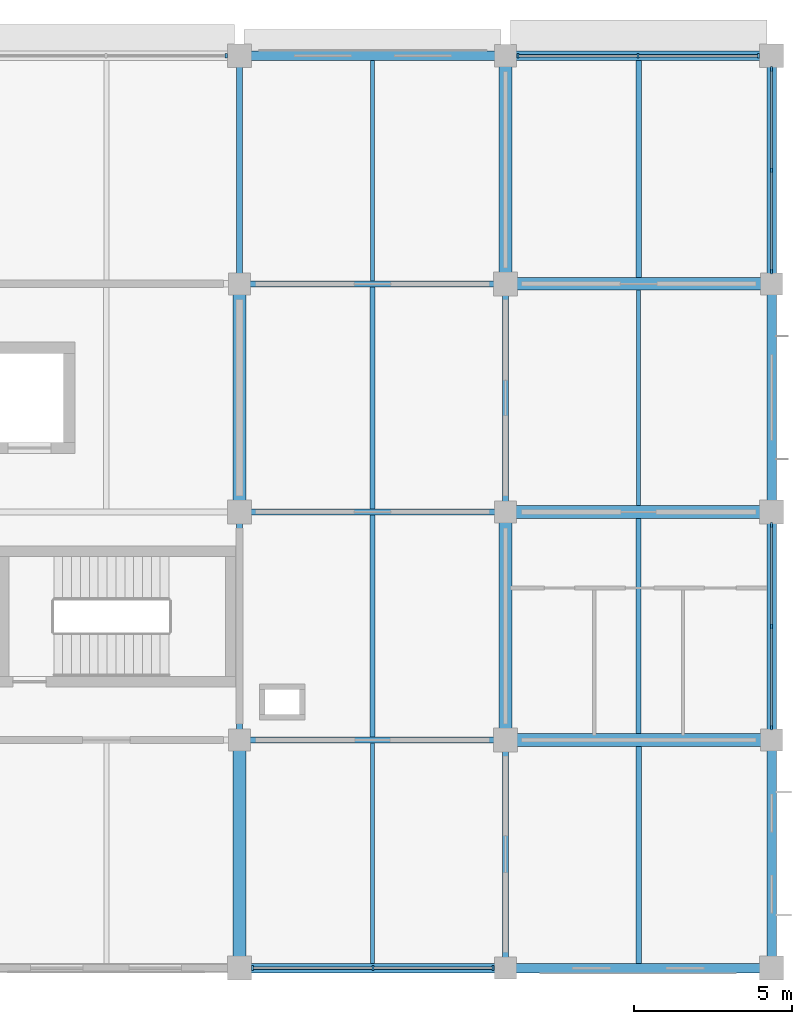
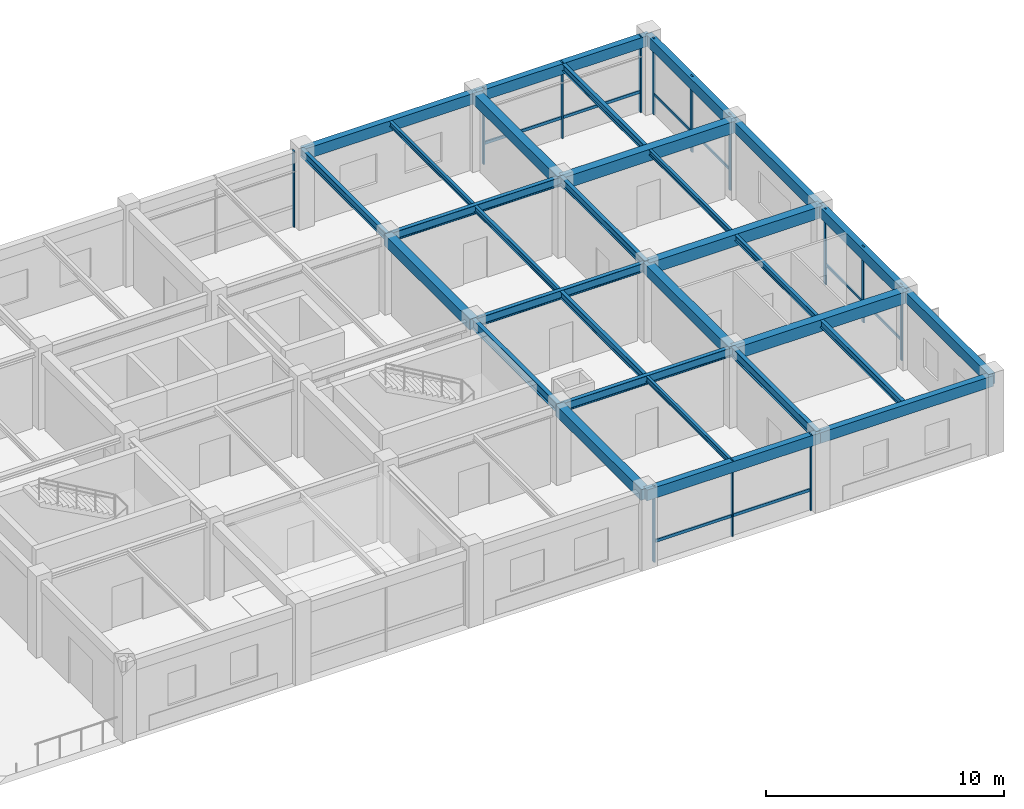
# One storey, part 4 of 10: 30 beams, 21 members, 5 elements without a shape of their own.
"""IFC4 building model written with IfcOpenShell, lengths in metres."""

from ifc_helpers import new_model, si_unit, derived_unit, direction, frame, origin, origin_2d, place, context, subcontext, project, spatial, rectangle, i_section, extrude, material, material_profile, profile_set, type_object, element, aggregate, save


model = new_model("IFC4")

# Units and contexts
model_context = context("Model", 3, precision=1e-05, world=origin(), true_north=direction((0.0, 1.0)))
body_context = subcontext(model_context, "Body", "Model", "MODEL_VIEW")
ifc_project = project(units=[si_unit("LENGTHUNIT", "METRE"), si_unit("AREAUNIT", "SQUARE_METRE"), si_unit("VOLUMEUNIT", "CUBIC_METRE"), si_unit("PLANEANGLEUNIT", "RADIAN"), si_unit("MASSUNIT", "GRAM", prefix="KILO"), derived_unit("THERMALTRANSMITTANCEUNIT", [(si_unit("MASSUNIT", "GRAM", prefix="KILO"), 1), (si_unit("TIMEUNIT", "SECOND"), -3), (si_unit("THERMODYNAMICTEMPERATUREUNIT", "KELVIN"), -1)])], contexts=[model_context])

# Site, building, storey
site_placement = place(None, origin())
site = spatial("IfcSite", under=ifc_project, at=site_placement, CompositionType="ELEMENT")
building_placement = place(site_placement, origin())
building = spatial("IfcBuilding", under=site, at=building_placement, Name="Veldstrom Oceanarium and Marine Research Institute", CompositionType="ELEMENT")
storey_placement = place(building_placement, frame((0.0, 0.0, 43.800048828125)))
storey = spatial("IfcBuildingStorey", under=building, at=storey_placement, Name="L09", CompositionType="ELEMENT", Elevation=43.800048828125)

# Curtain wall, member
ifc_material_1 = material(Name="Anodised Aluminium Framing", Category="aluminium")
curtain_wall_type_1 = type_object("IfcCurtainWallType", Name="ARC-CW-CW04", PredefinedType="USERDEFINED", material=ifc_material_1)
curtain_wall_1_placement = place(storey_placement, origin())
curtain_wall_1 = element("IfcCurtainWall", 1, at=curtain_wall_1_placement, inside=storey, type_object=curtain_wall_type_1, Name="Curtain Wall CW04 CW-L09-136", ObjectType="Curtain wall", PredefinedType="USERDEFINED")
ifc_material_2 = material(Name="Anodised Aluminium Framing", Category="aluminium")
ifc_material_profile_1 = material_profile(ifc_material_2, rectangle(XDim=0.06494140625, YDim=0.14990234375, at=origin_2d()), Name="ALU-MUL-65x150")
ifc_profile_set_1 = profile_set([ifc_material_profile_1], Name="Anodised Aluminium Framing")
member_type_1 = type_object("IfcMemberType", Name="ARC-MUL-ML2", PredefinedType="MULLION", material=ifc_profile_set_1)
member_1_placement = place(storey_placement, frame((100.385009765625, 72.0, 0.0), z_axis=(0.0, 0.0, 1.0), x_axis=(1.0, 0.0, 0.0)))
member_1 = element("IfcMember", 2, at=member_1_placement, type_object=member_type_1, Name="Curtain Wall Mullion CW-L09-136-MUL-3", PredefinedType="MULLION", context=body_context, shape_type="SweptSolid", body=[
    extrude(rectangle(XDim=0.06494140625, YDim=0.14990234375, at=origin_2d()), origin(), (0.0, 0.0, 1.0), 3.89990234375),
])
aggregate(curtain_wall_1, [member_1])

# Curtain wall, members
curtain_wall_2_placement = place(storey_placement, origin())
curtain_wall_2 = element("IfcCurtainWall", 3, at=curtain_wall_2_placement, inside=storey, type_object=curtain_wall_type_1, Name="Curtain Wall CW04 CW-L09-137", ObjectType="Curtain wall", PredefinedType="USERDEFINED")
member_2_placement = place(storey_placement, frame((101.215087890625, 43.199951171875, 0.0), z_axis=(0.0, 0.0, 1.0), x_axis=(1.0, 0.0, 0.0)))
member_2 = element("IfcMember", 4, at=member_2_placement, type_object=member_type_1, Name="Curtain Wall Mullion CW-L09-137-MUL-1", PredefinedType="MULLION", context=body_context, shape_type="SweptSolid", body=[
    extrude(rectangle(XDim=0.06494140625, YDim=0.14990234375, at=origin_2d()), origin(), (0.0, 0.0, 1.0), 3.89990234375),
])
member_3_placement = place(storey_placement, frame((105.012451171875, 43.199951171875, 0.0), z_axis=(0.0, 0.0, 1.0), x_axis=(1.0, 0.0, 0.0)))
member_3 = element("IfcMember", 5, at=member_3_placement, type_object=member_type_1, Name="Curtain Wall Mullion CW-L09-137-MUL-2", PredefinedType="MULLION", context=body_context, shape_type="SweptSolid", body=[
    extrude(rectangle(XDim=0.06494140625, YDim=0.14990234375, at=origin_2d()), origin(), (0.0, 0.0, 1.0), 3.89990234375),
])
member_4_placement = place(storey_placement, frame((108.81005859375, 43.199951171875, 0.0), z_axis=(0.0, 0.0, 1.0), x_axis=(1.0, 0.0, 0.0)))
member_4 = element("IfcMember", 6, at=member_4_placement, type_object=member_type_1, Name="Curtain Wall Mullion CW-L09-137-MUL-3", PredefinedType="MULLION", context=body_context, shape_type="SweptSolid", body=[
    extrude(rectangle(XDim=0.06494140625, YDim=0.14990234375, at=origin_2d()), origin(), (0.0, 0.0, 1.0), 3.89990234375),
])

ifc_material_3 = material(Name="Anodised Aluminium Framing", Category="aluminium")
curtain_wall_type_2 = type_object("IfcCurtainWallType", Name="ARC-CW-CW08", PredefinedType="USERDEFINED", material=ifc_material_3)
curtain_wall_3_placement = place(storey_placement, origin())
curtain_wall_3 = element("IfcCurtainWall", 7, at=curtain_wall_3_placement, inside=storey, type_object=curtain_wall_type_2, Name="Curtain Wall CW08 CW-L09-138", ObjectType="Curtain wall", PredefinedType="USERDEFINED")
member_5_placement = place(storey_placement, frame((117.60009765625, 50.7900390625, 0.0), z_axis=(0.0, 0.0, 1.0), x_axis=(1.0, 0.0, 0.0)))
member_5 = element("IfcMember", 8, at=member_5_placement, type_object=member_type_1, Name="Curtain Wall Mullion CW-L09-138-MUL-1", PredefinedType="MULLION", context=body_context, shape_type="SweptSolid", body=[
    extrude(rectangle(XDim=0.06494140625, YDim=0.14990234375, at=origin_2d()), origin(), (0.0, 0.0, 1.0), 3.89990234375),
])
member_6_placement = place(storey_placement, frame((117.60009765625, 53.987548828125, 0.0), z_axis=(0.0, 0.0, 1.0), x_axis=(1.0, 0.0, 0.0)))
member_6 = element("IfcMember", 9, at=member_6_placement, type_object=member_type_1, Name="Curtain Wall Mullion CW-L09-138-MUL-2", PredefinedType="MULLION", context=body_context, shape_type="SweptSolid", body=[
    extrude(rectangle(XDim=0.06494140625, YDim=0.14990234375, at=origin_2d()), origin(), (0.0, 0.0, 1.0), 3.89990234375),
])
member_7_placement = place(storey_placement, frame((117.60009765625, 57.18505859375, 0.0), z_axis=(0.0, 0.0, 1.0), x_axis=(1.0, 0.0, 0.0)))
member_7 = element("IfcMember", 10, at=member_7_placement, type_object=member_type_1, Name="Curtain Wall Mullion CW-L09-138-MUL-3", PredefinedType="MULLION", context=body_context, shape_type="SweptSolid", body=[
    extrude(rectangle(XDim=0.06494140625, YDim=0.14990234375, at=origin_2d()), origin(), (0.0, 0.0, 1.0), 3.89990234375),
])

curtain_wall_4_placement = place(storey_placement, origin())
curtain_wall_4 = element("IfcCurtainWall", 11, at=curtain_wall_4_placement, inside=storey, type_object=curtain_wall_type_1, Name="Curtain Wall CW04 CW-L09-139", ObjectType="Curtain wall", PredefinedType="USERDEFINED")
member_8_placement = place(storey_placement, frame((109.590087890625, 72.0, 0.0), z_axis=(0.0, 0.0, 1.0), x_axis=(1.0, 0.0, 0.0)))
member_8 = element("IfcMember", 12, at=member_8_placement, type_object=member_type_1, Name="Curtain Wall Mullion CW-L09-139-MUL-1", PredefinedType="MULLION", context=body_context, shape_type="SweptSolid", body=[
    extrude(rectangle(XDim=0.06494140625, YDim=0.14990234375, at=origin_2d()), origin(), (0.0, 0.0, 1.0), 3.89990234375),
])
member_9_placement = place(storey_placement, frame((113.387451171875, 72.0, 0.0), z_axis=(0.0, 0.0, 1.0), x_axis=(1.0, 0.0, 0.0)))
member_9 = element("IfcMember", 13, at=member_9_placement, type_object=member_type_1, Name="Curtain Wall Mullion CW-L09-139-MUL-2", PredefinedType="MULLION", context=body_context, shape_type="SweptSolid", body=[
    extrude(rectangle(XDim=0.06494140625, YDim=0.14990234375, at=origin_2d()), origin(), (0.0, 0.0, 1.0), 3.89990234375),
])
member_10_placement = place(storey_placement, frame((117.18505859375, 72.0, 0.0), z_axis=(0.0, 0.0, 1.0), x_axis=(1.0, 0.0, 0.0)))
member_10 = element("IfcMember", 14, at=member_10_placement, type_object=member_type_1, Name="Curtain Wall Mullion CW-L09-139-MUL-3", PredefinedType="MULLION", context=body_context, shape_type="SweptSolid", body=[
    extrude(rectangle(XDim=0.06494140625, YDim=0.14990234375, at=origin_2d()), origin(), (0.0, 0.0, 1.0), 3.89990234375),
])

curtain_wall_5_placement = place(storey_placement, origin())
curtain_wall_5 = element("IfcCurtainWall", 15, at=curtain_wall_5_placement, inside=storey, type_object=curtain_wall_type_2, Name="Curtain Wall CW08 CW-L09-140", ObjectType="Curtain wall", PredefinedType="USERDEFINED")
member_11_placement = place(storey_placement, frame((117.60009765625, 65.18994140625, 0.0), z_axis=(0.0, 0.0, 1.0), x_axis=(1.0, 0.0, 0.0)))
member_11 = element("IfcMember", 16, at=member_11_placement, type_object=member_type_1, Name="Curtain Wall Mullion CW-L09-140-MUL-1", PredefinedType="MULLION", context=body_context, shape_type="SweptSolid", body=[
    extrude(rectangle(XDim=0.06494140625, YDim=0.14990234375, at=origin_2d()), origin(), (0.0, 0.0, 1.0), 3.89990234375),
])
member_12_placement = place(storey_placement, frame((117.60009765625, 68.387451171875, 0.0), z_axis=(0.0, 0.0, 1.0), x_axis=(1.0, 0.0, 0.0)))
member_12 = element("IfcMember", 17, at=member_12_placement, type_object=member_type_1, Name="Curtain Wall Mullion CW-L09-140-MUL-2", PredefinedType="MULLION", context=body_context, shape_type="SweptSolid", body=[
    extrude(rectangle(XDim=0.06494140625, YDim=0.14990234375, at=origin_2d()), origin(), (0.0, 0.0, 1.0), 3.89990234375),
])
member_13_placement = place(storey_placement, frame((117.60009765625, 71.5849609375, 0.0), z_axis=(0.0, 0.0, 1.0), x_axis=(1.0, 0.0, 0.0)))
member_13 = element("IfcMember", 18, at=member_13_placement, type_object=member_type_1, Name="Curtain Wall Mullion CW-L09-140-MUL-3", PredefinedType="MULLION", context=body_context, shape_type="SweptSolid", body=[
    extrude(rectangle(XDim=0.06494140625, YDim=0.14990234375, at=origin_2d()), origin(), (0.0, 0.0, 1.0), 3.89990234375),
])

# Member
ifc_material_4 = material(Name="Anodised Aluminium Framing", Category="aluminium")
ifc_material_profile_2 = material_profile(ifc_material_4, rectangle(XDim=0.074951171875, YDim=0.14990234375, at=origin_2d()), Name="ALU-TRN-75x150")
ifc_profile_set_2 = profile_set([ifc_material_profile_2], Name="Anodised Aluminium Framing")
member_type_2 = type_object("IfcMemberType", Name="ARC-TRN-TR1", PredefinedType="USERDEFINED", material=ifc_profile_set_2)
member_14_placement = place(storey_placement, frame((101.2548828125, 43.199951171875, 1.050048828125), z_axis=(1.0, 0.0, 0.0), x_axis=(0.0, 1.0, 0.0)))
member_14 = element("IfcMember", 19, at=member_14_placement, type_object=member_type_2, Name="Curtain Wall Transom CW-L09-137-TRN-1", ObjectType="Transom", PredefinedType="USERDEFINED", context=body_context, shape_type="SweptSolid", body=[
    extrude(rectangle(XDim=0.074951171875, YDim=0.14990234375, at=origin_2d()), origin(), (0.0, 0.0, 1.0), 3.717529296875),
])

member_15_placement = place(storey_placement, frame((105.052490234375, 43.199951171875, 1.050048828125), z_axis=(1.0, 0.0, 0.0), x_axis=(0.0, 1.0, 0.0)))
member_15 = element("IfcMember", 20, at=member_15_placement, type_object=member_type_2, Name="Curtain Wall Transom CW-L09-137-TRN-2", ObjectType="Transom", PredefinedType="USERDEFINED", context=body_context, shape_type="SweptSolid", body=[
    extrude(rectangle(XDim=0.074951171875, YDim=0.14990234375, at=origin_2d()), origin(), (0.0, 0.0, 1.0), 3.717529296875),
])

aggregate(curtain_wall_2, [member_2, member_3, member_4, member_14, member_15])

member_16_placement = place(storey_placement, frame((109.6298828125, 72.0, 1.050048828125), z_axis=(1.0, 0.0, 0.0), x_axis=(0.0, 1.0, 0.0)))
member_16 = element("IfcMember", 21, at=member_16_placement, type_object=member_type_2, Name="Curtain Wall Transom CW-L09-139-TRN-1", ObjectType="Transom", PredefinedType="USERDEFINED", context=body_context, shape_type="SweptSolid", body=[
    extrude(rectangle(XDim=0.074951171875, YDim=0.14990234375, at=origin_2d()), origin(), (0.0, 0.0, 1.0), 3.717529296875),
])

member_17_placement = place(storey_placement, frame((113.427490234375, 72.0, 1.050048828125), z_axis=(1.0, 0.0, 0.0), x_axis=(0.0, 1.0, 0.0)))
member_17 = element("IfcMember", 22, at=member_17_placement, type_object=member_type_2, Name="Curtain Wall Transom CW-L09-139-TRN-2", ObjectType="Transom", PredefinedType="USERDEFINED", context=body_context, shape_type="SweptSolid", body=[
    extrude(rectangle(XDim=0.074951171875, YDim=0.14990234375, at=origin_2d()), origin(), (0.0, 0.0, 1.0), 3.717529296875),
])

aggregate(curtain_wall_4, [member_8, member_9, member_10, member_16, member_17])

ifc_material_5 = material(Name="Anodised Aluminium Framing", Category="aluminium")
ifc_material_profile_3 = material_profile(ifc_material_5, rectangle(XDim=0.06494140625, YDim=0.1201171875, at=origin_2d()), Name="ALU-TRN-65x120")
ifc_profile_set_3 = profile_set([ifc_material_profile_3], Name="Anodised Aluminium Framing")
member_type_3 = type_object("IfcMemberType", Name="ARC-TRN-TR2", PredefinedType="USERDEFINED", material=ifc_profile_set_3)
member_18_placement = place(storey_placement, frame((117.60009765625, 50.830078125, 1.050048828125), z_axis=(0.0, 1.0, 0.0), x_axis=(-1.0, 0.0, 0.0)))
member_18 = element("IfcMember", 23, at=member_18_placement, type_object=member_type_3, Name="Curtain Wall Transom CW-L09-138-TRN-1", ObjectType="Transom", PredefinedType="USERDEFINED", context=body_context, shape_type="SweptSolid", body=[
    extrude(rectangle(XDim=0.06494140625, YDim=0.1201171875, at=origin_2d()), origin(), (0.0, 0.0, 1.0), 3.117431640625),
])

member_19_placement = place(storey_placement, frame((117.60009765625, 54.027587890625, 1.050048828125), z_axis=(0.0, 1.0, 0.0), x_axis=(-1.0, 0.0, 0.0)))
member_19 = element("IfcMember", 24, at=member_19_placement, type_object=member_type_3, Name="Curtain Wall Transom CW-L09-138-TRN-2", ObjectType="Transom", PredefinedType="USERDEFINED", context=body_context, shape_type="SweptSolid", body=[
    extrude(rectangle(XDim=0.06494140625, YDim=0.1201171875, at=origin_2d()), origin(), (0.0, 0.0, 1.0), 3.117431640625),
])

aggregate(curtain_wall_3, [member_5, member_6, member_7, member_18, member_19])

member_20_placement = place(storey_placement, frame((117.60009765625, 65.22998046875, 1.050048828125), z_axis=(0.0, 1.0, 0.0), x_axis=(-1.0, 0.0, 0.0)))
member_20 = element("IfcMember", 25, at=member_20_placement, type_object=member_type_3, Name="Curtain Wall Transom CW-L09-140-TRN-1", ObjectType="Transom", PredefinedType="USERDEFINED", context=body_context, shape_type="SweptSolid", body=[
    extrude(rectangle(XDim=0.06494140625, YDim=0.1201171875, at=origin_2d()), origin(), (0.0, 0.0, 1.0), 3.117431640625),
])

member_21_placement = place(storey_placement, frame((117.60009765625, 68.427490234375, 1.050048828125), z_axis=(0.0, 1.0, 0.0), x_axis=(-1.0, 0.0, 0.0)))
member_21 = element("IfcMember", 26, at=member_21_placement, type_object=member_type_3, Name="Curtain Wall Transom CW-L09-140-TRN-2", ObjectType="Transom", PredefinedType="USERDEFINED", context=body_context, shape_type="SweptSolid", body=[
    extrude(rectangle(XDim=0.06494140625, YDim=0.1201171875, at=origin_2d()), origin(), (0.0, 0.0, 1.0), 3.117431640625),
])

aggregate(curtain_wall_5, [member_11, member_12, member_13, member_20, member_21])

# Beams
ifc_material_6 = material(Name="Concrete C40/50", Category="concrete")
ifc_material_profile_4 = material_profile(ifc_material_6, rectangle(XDim=0.39990234375, YDim=0.60009765625, at=origin_2d()), Name="RC-BM-400x600")
ifc_profile_set_4 = profile_set([ifc_material_profile_4], Name="Concrete C40/50")
beam_type_1 = type_object("IfcBeamType", Name="STR-BM-B06", PredefinedType="BEAM", material=ifc_profile_set_4)
for number, where, z_axis, x_axis, name in (
    (27, (109.199951171875, 50.39990234375, 3.594970703125), (1.0, 0.0, 0.0), (0.0, 1.0, 0.0), "Primary Beam B06 L09-2494"),
    (28, (109.199951171875, 57.60009765625, 3.594970703125), (1.0, 0.0, 0.0), (0.0, 1.0, 0.0), "Primary Beam B06 L09-2495"),
    (29, (109.199951171875, 64.800048828125, 3.594970703125), (1.0, 0.0, 0.0), (0.0, 1.0, 0.0), "Primary Beam B06 L09-2496"),
):
    element("IfcBeam", number, at=place(storey_placement, frame(where, z_axis=z_axis, x_axis=x_axis)), inside=storey, type_object=beam_type_1, Name=name, PredefinedType="BEAM", context=body_context, shape_type="SweptSolid", body=[
        extrude(rectangle(XDim=0.39990234375, YDim=0.60009765625, at=origin_2d()), origin(), (0.0, 0.0, 1.0), 8.400146484375),
    ])
ifc_material_7 = material(Name="Concrete C40/50", Category="concrete")
ifc_material_profile_5 = material_profile(ifc_material_7, rectangle(XDim=0.39990234375, YDim=0.550048828125, at=origin_2d()), Name="RC-BM-400x550")
ifc_profile_set_5 = profile_set([ifc_material_profile_5], Name="Concrete C40/50")
beam_type_2 = type_object("IfcBeamType", Name="STR-BM-B07", PredefinedType="BEAM", material=ifc_profile_set_5)
for number, where, z_axis, x_axis, name in (
    (30, (100.800048828125, 43.199951171875, 3.619873046875), (0.0, 1.0, 0.0), (-1.0, 0.0, 0.0), "Primary Beam B07 L09-2510"),
    (31, (100.800048828125, 57.60009765625, 3.619873046875), (0.0, 1.0, 0.0), (-1.0, 0.0, 0.0), "Primary Beam B07 L09-2512"),
):
    element("IfcBeam", number, at=place(storey_placement, frame(where, z_axis=z_axis, x_axis=x_axis)), inside=storey, type_object=beam_type_2, Name=name, PredefinedType="BEAM", context=body_context, shape_type="SweptSolid", body=[
        extrude(rectangle(XDim=0.39990234375, YDim=0.550048828125, at=origin_2d()), origin(), (0.0, 0.0, 1.0), 7.199951171875),
    ])
beam_1_placement = place(storey_placement, frame((109.199951171875, 50.39990234375, 3.619873046875), z_axis=(0.0, 1.0, 0.0), x_axis=(-1.0, 0.0, 0.0)))
element("IfcBeam", 32, at=beam_1_placement, inside=storey, type_object=beam_type_2, Name="Primary Beam B07 L09-2515", PredefinedType="BEAM", context=body_context, shape_type="SweptSolid", body=[
    extrude(rectangle(XDim=0.39990234375, YDim=0.550048828125, at=origin_2d()), origin(), (0.0, 0.0, 1.0), 7.2001953125),
])
beam_2_placement = place(storey_placement, frame((109.199951171875, 64.800048828125, 3.619873046875), z_axis=(0.0, 1.0, 0.0), x_axis=(-1.0, 0.0, 0.0)))
element("IfcBeam", 33, at=beam_2_placement, inside=storey, type_object=beam_type_2, Name="Primary Beam B07 L09-2517", PredefinedType="BEAM", context=body_context, shape_type="SweptSolid", body=[
    extrude(rectangle(XDim=0.39990234375, YDim=0.550048828125, at=origin_2d()), origin(), (0.0, 0.0, 1.0), 7.199951171875),
])
ifc_material_8 = material(Name="Steel S355JR", Category="steel")
ifc_material_profile_6 = material_profile(ifc_material_8, i_section(OverallWidth=0.199951171875, OverallDepth=0.5, WebThickness=0.01025390625, FlangeThickness=0.01611328125, FilletRadius=0.02099609375, at=origin_2d()), Name="IPE 500")
ifc_profile_set_6 = profile_set([ifc_material_profile_6], Name="Steel S355JR")
beam_type_3 = type_object("IfcBeamType", Name="STR-BM-SB6", PredefinedType="BEAM", material=ifc_profile_set_6)
beam_3_placement = place(storey_placement, frame((100.800048828125, 50.39990234375, 3.64501953125), z_axis=(0.0, 1.0, 0.0), x_axis=(-1.0, 0.0, 0.0)))
element("IfcBeam", 34, at=beam_3_placement, inside=storey, type_object=beam_type_3, Name="Steel Tie Beam SB6 L09-2511", PredefinedType="BEAM", context=body_context, shape_type="SweptSolid", body=[
    extrude(i_section(OverallWidth=0.199951171875, OverallDepth=0.5, WebThickness=0.01025390625, FlangeThickness=0.01611328125, FilletRadius=0.02099609375, at=origin_2d()), origin(), (0.0, 0.0, 1.0), 7.2001953125),
])
beam_4_placement = place(storey_placement, frame((109.199951171875, 43.199951171875, 3.64501953125), z_axis=(0.0, 1.0, 0.0), x_axis=(-1.0, 0.0, 0.0)))
element("IfcBeam", 35, at=beam_4_placement, inside=storey, type_object=beam_type_3, Name="Steel Tie Beam SB6 L09-2514", PredefinedType="BEAM", context=body_context, shape_type="SweptSolid", body=[
    extrude(i_section(OverallWidth=0.199951171875, OverallDepth=0.5, WebThickness=0.01025390625, FlangeThickness=0.01611328125, FilletRadius=0.02099609375, at=origin_2d()), origin(), (0.0, 0.0, 1.0), 7.199951171875),
])
ifc_material_9 = material(Name="Steel S355JR", Category="steel")
ifc_material_profile_7 = material_profile(ifc_material_9, i_section(OverallWidth=0.18994140625, OverallDepth=0.449951171875, WebThickness=0.009521484375, FlangeThickness=0.0146484375, FilletRadius=0.02099609375, at=origin_2d()), Name="IPE 450")
ifc_profile_set_7 = profile_set([ifc_material_profile_7], Name="Steel S355JR")
beam_type_4 = type_object("IfcBeamType", Name="STR-BM-SB7", PredefinedType="BEAM", material=ifc_profile_set_7)
for number, where, z_axis, x_axis, name in (
    (36, (100.800048828125, 50.39990234375, 3.669921875), (1.0, 0.0, 0.0), (0.0, 1.0, 0.0), "Steel Floor Girder SB7 L09-2489"),
    (37, (100.800048828125, 57.60009765625, 3.669921875), (1.0, 0.0, 0.0), (0.0, 1.0, 0.0), "Steel Floor Girder SB7 L09-2490"),
    (38, (100.800048828125, 64.800048828125, 3.669921875), (1.0, 0.0, 0.0), (0.0, 1.0, 0.0), "Steel Floor Girder SB7 L09-2491"),
):
    element("IfcBeam", number, at=place(storey_placement, frame(where, z_axis=z_axis, x_axis=x_axis)), inside=storey, type_object=beam_type_4, Name=name, PredefinedType="BEAM", context=body_context, shape_type="SweptSolid", body=[
        extrude(i_section(OverallWidth=0.18994140625, OverallDepth=0.449951171875, WebThickness=0.009521484375, FlangeThickness=0.0146484375, FilletRadius=0.02099609375, at=origin_2d()), origin(), (0.0, 0.0, 1.0), 8.39990234375),
    ])
ifc_material_10 = material(Name="Steel S355JR", Category="steel")
ifc_material_profile_8 = material_profile(ifc_material_10, i_section(OverallWidth=0.179931640625, OverallDepth=0.39990234375, WebThickness=0.008544921875, FlangeThickness=0.013427734375, FilletRadius=0.02099609375, at=origin_2d()), Name="IPE 400")
ifc_profile_set_8 = profile_set([ifc_material_profile_8], Name="Steel S355JR")
beam_type_5 = type_object("IfcBeamType", Name="STR-BM-SB8", PredefinedType="BEAM", material=ifc_profile_set_8)
for number, where, z_axis, x_axis, name in (
    (39, (100.800048828125, 64.800048828125, 3.695068359375), (0.0, 1.0, 0.0), (-1.0, 0.0, 0.0), "Steel Tie Beam SB8 L09-2513"),
    (40, (109.199951171875, 57.60009765625, 3.695068359375), (0.0, 1.0, 0.0), (-1.0, 0.0, 0.0), "Steel Tie Beam SB8 L09-2516"),
):
    element("IfcBeam", number, at=place(storey_placement, frame(where, z_axis=z_axis, x_axis=x_axis)), inside=storey, type_object=beam_type_5, Name=name, PredefinedType="BEAM", context=body_context, shape_type="SweptSolid", body=[
        extrude(i_section(OverallWidth=0.179931640625, OverallDepth=0.39990234375, WebThickness=0.008544921875, FlangeThickness=0.013427734375, FilletRadius=0.02099609375, at=origin_2d()), origin(), (0.0, 0.0, 1.0), 7.199951171875),
    ])
ifc_material_11 = material(Name="Steel S355JR", Category="steel")
ifc_material_profile_9 = material_profile(ifc_material_11, i_section(OverallWidth=0.169921875, OverallDepth=0.360107421875, WebThickness=0.008056640625, FlangeThickness=0.0126953125, FilletRadius=0.01806640625, at=origin_2d()), Name="IPE 360")
ifc_profile_set_9 = profile_set([ifc_material_profile_9], Name="Steel S355JR")
beam_type_6 = type_object("IfcBeamType", Name="STR-JST-SJ1", PredefinedType="JOIST", material=ifc_profile_set_9)
beam_5_placement = place(storey_placement, frame((105.0, 50.4951171875, 3.71484375), z_axis=(0.0, 1.0, 0.0), x_axis=(-1.0, 0.0, 0.0)))
element("IfcBeam", 41, at=beam_5_placement, inside=storey, type_object=beam_type_6, Name="Secondary Joist SJ1 L09-2532", PredefinedType="JOIST", context=body_context, shape_type="SweptSolid", body=[
    extrude(i_section(OverallWidth=0.169921875, OverallDepth=0.360107421875, WebThickness=0.008056640625, FlangeThickness=0.0126953125, FilletRadius=0.01806640625, at=origin_2d()), origin(), (0.0, 0.0, 1.0), 7.009765625),
])
beam_6_placement = place(storey_placement, frame((113.39990234375, 43.35009765625, 3.71484375), z_axis=(0.0, 1.0, 0.0), x_axis=(-1.0, 0.0, 0.0)))
element("IfcBeam", 42, at=beam_6_placement, inside=storey, type_object=beam_type_6, Name="Secondary Joist SJ1 L09-2535", PredefinedType="JOIST", context=body_context, shape_type="SweptSolid", body=[
    extrude(i_section(OverallWidth=0.169921875, OverallDepth=0.360107421875, WebThickness=0.008056640625, FlangeThickness=0.0126953125, FilletRadius=0.01806640625, at=origin_2d()), origin(), (0.0, 0.0, 1.0), 6.849853515625),
])
beam_7_placement = place(storey_placement, frame((113.39990234375, 65.0, 3.71484375), z_axis=(0.0, 1.0, 0.0), x_axis=(-1.0, 0.0, 0.0)))
element("IfcBeam", 43, at=beam_7_placement, inside=storey, type_object=beam_type_6, Name="Secondary Joist SJ1 L09-2538", PredefinedType="JOIST", context=body_context, shape_type="SweptSolid", body=[
    extrude(i_section(OverallWidth=0.169921875, OverallDepth=0.360107421875, WebThickness=0.008056640625, FlangeThickness=0.0126953125, FilletRadius=0.01806640625, at=origin_2d()), origin(), (0.0, 0.0, 1.0), 6.85009765625),
])
ifc_material_12 = material(Name="Steel S355JR", Category="steel")
ifc_material_profile_10 = material_profile(ifc_material_12, i_section(OverallWidth=0.14990234375, OverallDepth=0.300048828125, WebThickness=0.007080078125, FlangeThickness=0.0107421875, FilletRadius=0.014892578125, at=origin_2d()), Name="IPE 300")
ifc_profile_set_10 = profile_set([ifc_material_profile_10], Name="Steel S355JR")
beam_type_7 = type_object("IfcBeamType", Name="STR-JST-SJ2", PredefinedType="JOIST", material=ifc_profile_set_10)
beam_8_placement = place(storey_placement, frame((105.0, 57.695068359375, 3.744873046875), z_axis=(0.0, 1.0, 0.0), x_axis=(-1.0, 0.0, 0.0)))
element("IfcBeam", 44, at=beam_8_placement, inside=storey, type_object=beam_type_7, Name="Secondary Joist SJ2 L09-2533", PredefinedType="JOIST", context=body_context, shape_type="SweptSolid", body=[
    extrude(i_section(OverallWidth=0.14990234375, OverallDepth=0.300048828125, WebThickness=0.007080078125, FlangeThickness=0.0107421875, FilletRadius=0.014892578125, at=origin_2d()), origin(), (0.0, 0.0, 1.0), 7.010009765625),
])
beam_9_placement = place(storey_placement, frame((113.39990234375, 50.60009765625, 3.744873046875), z_axis=(0.0, 1.0, 0.0), x_axis=(-1.0, 0.0, 0.0)))
element("IfcBeam", 45, at=beam_9_placement, inside=storey, type_object=beam_type_7, Name="Secondary Joist SJ2 L09-2536", PredefinedType="JOIST", context=body_context, shape_type="SweptSolid", body=[
    extrude(i_section(OverallWidth=0.14990234375, OverallDepth=0.300048828125, WebThickness=0.007080078125, FlangeThickness=0.0107421875, FilletRadius=0.014892578125, at=origin_2d()), origin(), (0.0, 0.0, 1.0), 6.7998046875),
])
ifc_material_13 = material(Name="Steel S355JR", Category="steel")
ifc_material_profile_11 = material_profile(ifc_material_13, i_section(OverallWidth=0.135009765625, OverallDepth=0.27001953125, WebThickness=0.006591796875, FlangeThickness=0.01025390625, FilletRadius=0.014892578125, at=origin_2d()), Name="IPE 270")
ifc_profile_set_11 = profile_set([ifc_material_profile_11], Name="Steel S355JR")
beam_type_8 = type_object("IfcBeamType", Name="STR-JST-SJ3", PredefinedType="JOIST", material=ifc_profile_set_11)
beam_10_placement = place(storey_placement, frame((105.0, 43.35009765625, 3.760009765625), z_axis=(0.0, 1.0, 0.0), x_axis=(-1.0, 0.0, 0.0)))
element("IfcBeam", 46, at=beam_10_placement, inside=storey, type_object=beam_type_8, Name="Secondary Joist SJ3 L09-2531", PredefinedType="JOIST", context=body_context, shape_type="SweptSolid", body=[
    extrude(i_section(OverallWidth=0.135009765625, OverallDepth=0.27001953125, WebThickness=0.006591796875, FlangeThickness=0.01025390625, FilletRadius=0.014892578125, at=origin_2d()), origin(), (0.0, 0.0, 1.0), 6.954833984375),
])
beam_11_placement = place(storey_placement, frame((105.0, 64.89501953125, 3.760009765625), z_axis=(0.0, 1.0, 0.0), x_axis=(-1.0, 0.0, 0.0)))
element("IfcBeam", 47, at=beam_11_placement, inside=storey, type_object=beam_type_8, Name="Secondary Joist SJ3 L09-2534", PredefinedType="JOIST", context=body_context, shape_type="SweptSolid", body=[
    extrude(i_section(OverallWidth=0.135009765625, OverallDepth=0.27001953125, WebThickness=0.006591796875, FlangeThickness=0.01025390625, FilletRadius=0.014892578125, at=origin_2d()), origin(), (0.0, 0.0, 1.0), 6.955078125),
])
beam_12_placement = place(storey_placement, frame((113.39990234375, 57.800048828125, 3.760009765625), z_axis=(0.0, 1.0, 0.0), x_axis=(-1.0, 0.0, 0.0)))
element("IfcBeam", 48, at=beam_12_placement, inside=storey, type_object=beam_type_8, Name="Secondary Joist SJ3 L09-2537", PredefinedType="JOIST", context=body_context, shape_type="SweptSolid", body=[
    extrude(i_section(OverallWidth=0.135009765625, OverallDepth=0.27001953125, WebThickness=0.006591796875, FlangeThickness=0.01025390625, FilletRadius=0.014892578125, at=origin_2d()), origin(), (0.0, 0.0, 1.0), 6.800048828125),
])
ifc_material_14 = material(Name="Concrete C40/50", Category="concrete")
ifc_material_profile_12 = material_profile(ifc_material_14, rectangle(XDim=0.300048828125, YDim=0.550048828125, at=origin_2d()), Name="RC-SPN-300x550")
ifc_profile_set_12 = profile_set([ifc_material_profile_12], Name="Concrete C40/50")
beam_type_9 = type_object("IfcBeamType", Name="STR-SPN-SP2", PredefinedType="SPANDREL", material=ifc_profile_set_12)
for number, where, z_axis, x_axis, name in (
    (49, (100.800048828125, 43.199951171875, 3.619873046875), (1.0, 0.0, 0.0), (0.0, 1.0, 0.0), "Perimeter Spandrel SPB2 L09-2488"),
    (50, (100.800048828125, 72.0, 3.619873046875), (1.0, 0.0, 0.0), (0.0, 1.0, 0.0), "Perimeter Spandrel SPB2 L09-2492"),
):
    element("IfcBeam", number, at=place(storey_placement, frame(where, z_axis=z_axis, x_axis=x_axis)), inside=storey, type_object=beam_type_9, Name=name, PredefinedType="SPANDREL", context=body_context, shape_type="SweptSolid", body=[
        extrude(rectangle(XDim=0.300048828125, YDim=0.550048828125, at=origin_2d()), origin(), (0.0, 0.0, 1.0), 8.39990234375),
    ])
for number, where, z_axis, x_axis, name in (
    (51, (109.199951171875, 43.199951171875, 3.619873046875), (1.0, 0.0, 0.0), (0.0, 1.0, 0.0), "Perimeter Spandrel SPB2 L09-2493"),
    (52, (109.199951171875, 72.0, 3.619873046875), (1.0, 0.0, 0.0), (0.0, 1.0, 0.0), "Perimeter Spandrel SPB2 L09-2497"),
):
    element("IfcBeam", number, at=place(storey_placement, frame(where, z_axis=z_axis, x_axis=x_axis)), inside=storey, type_object=beam_type_9, Name=name, PredefinedType="SPANDREL", context=body_context, shape_type="SweptSolid", body=[
        extrude(rectangle(XDim=0.300048828125, YDim=0.550048828125, at=origin_2d()), origin(), (0.0, 0.0, 1.0), 8.400146484375),
    ])
beam_13_placement = place(storey_placement, frame((117.60009765625, 43.199951171875, 3.619873046875), z_axis=(0.0, 1.0, 0.0), x_axis=(-1.0, 0.0, 0.0)))
element("IfcBeam", 53, at=beam_13_placement, inside=storey, type_object=beam_type_9, Name="Perimeter Spandrel SPB2 L09-2518", PredefinedType="SPANDREL", context=body_context, shape_type="SweptSolid", body=[
    extrude(rectangle(XDim=0.300048828125, YDim=0.550048828125, at=origin_2d()), origin(), (0.0, 0.0, 1.0), 7.199951171875),
])
beam_14_placement = place(storey_placement, frame((117.60009765625, 50.39990234375, 3.619873046875), z_axis=(0.0, 1.0, 0.0), x_axis=(-1.0, 0.0, 0.0)))
element("IfcBeam", 54, at=beam_14_placement, inside=storey, type_object=beam_type_9, Name="Perimeter Spandrel SPB2 L09-2519", PredefinedType="SPANDREL", context=body_context, shape_type="SweptSolid", body=[
    extrude(rectangle(XDim=0.300048828125, YDim=0.550048828125, at=origin_2d()), origin(), (0.0, 0.0, 1.0), 7.2001953125),
])
for number, where, z_axis, x_axis, name in (
    (55, (117.60009765625, 57.60009765625, 3.619873046875), (0.0, 1.0, 0.0), (-1.0, 0.0, 0.0), "Perimeter Spandrel SPB2 L09-2520"),
    (56, (117.60009765625, 64.800048828125, 3.619873046875), (0.0, 1.0, 0.0), (-1.0, 0.0, 0.0), "Perimeter Spandrel SPB2 L09-2521"),
):
    element("IfcBeam", number, at=place(storey_placement, frame(where, z_axis=z_axis, x_axis=x_axis)), inside=storey, type_object=beam_type_9, Name=name, PredefinedType="SPANDREL", context=body_context, shape_type="SweptSolid", body=[
        extrude(rectangle(XDim=0.300048828125, YDim=0.550048828125, at=origin_2d()), origin(), (0.0, 0.0, 1.0), 7.199951171875),
    ])

save(model, "model.ifc")
